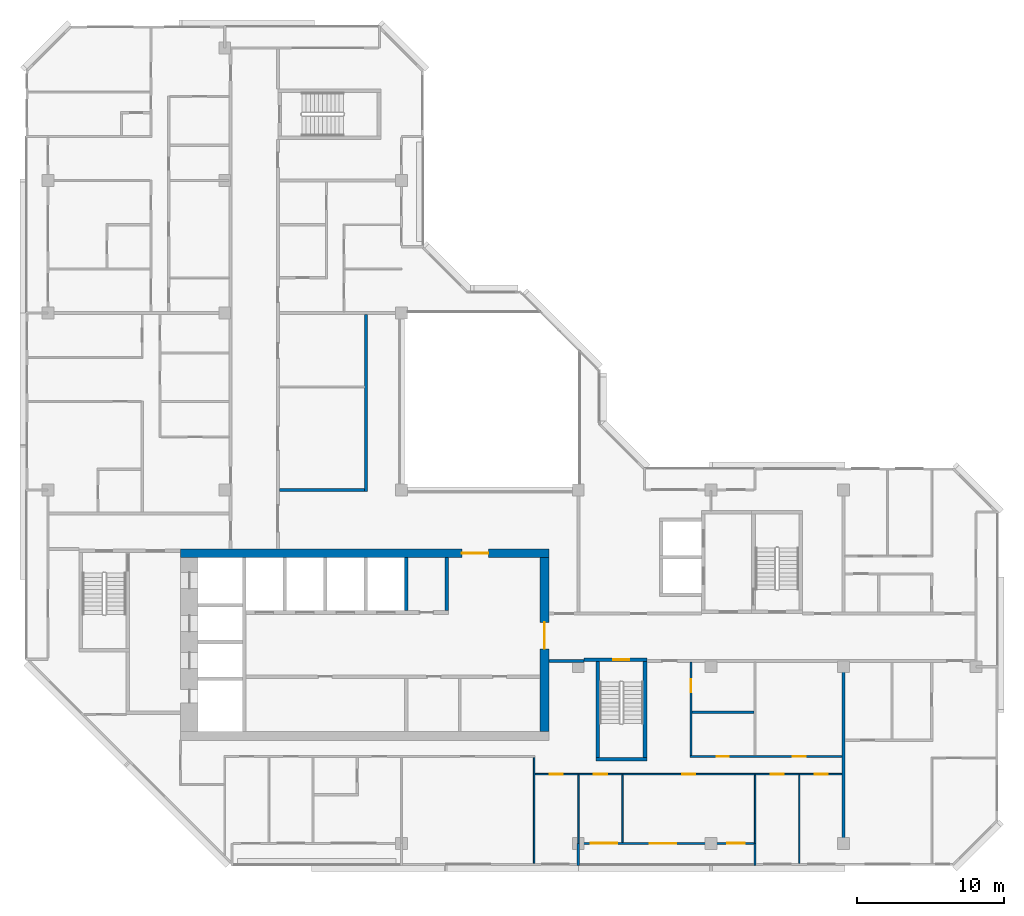
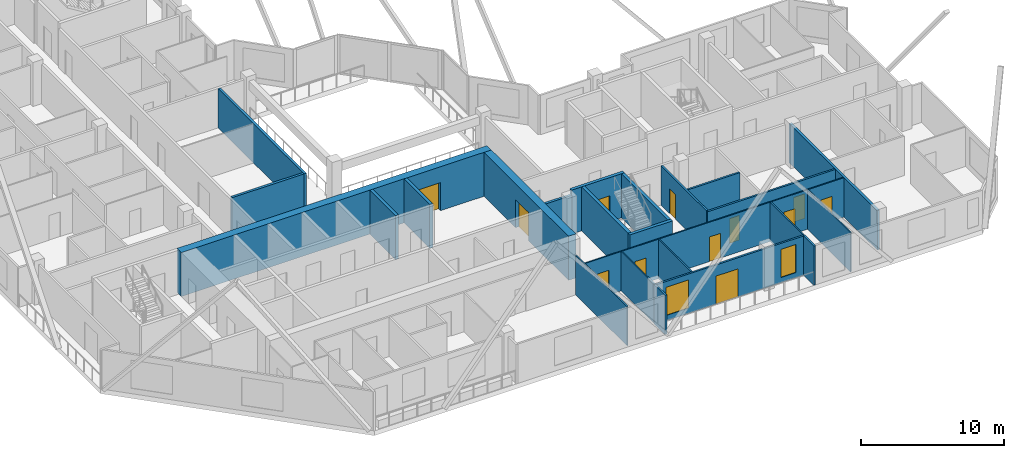
# One storey, part 6 of 13: 24 walls, 12 doors, 2 windows, 14 openings.
"""IFC4 building model written with IfcOpenShell, lengths in metres."""

from ifc_helpers import new_model, si_unit, direction, frame, frame_2d, origin, place, context, subcontext, project, spatial, rectangle, extrude, material, layer, layer_set, type_object, element, fill, save


model = new_model("IFC4")

# Units and contexts
model_context = context("Model", 3, precision=1e-05, world=origin(), true_north=direction((0.0, 1.0)))
body_context = subcontext(model_context, "Body", "Model", "MODEL_VIEW")
ifc_project = project(units=[si_unit("LENGTHUNIT", "METRE"), si_unit("AREAUNIT", "SQUARE_METRE"), si_unit("VOLUMEUNIT", "CUBIC_METRE"), si_unit("PLANEANGLEUNIT", "RADIAN"), si_unit("MASSUNIT", "GRAM", prefix="KILO")], contexts=[model_context])

# Site, building, storey
site_placement = place(None, origin())
site = spatial("IfcSite", under=ifc_project, at=site_placement, CompositionType="ELEMENT")
building_placement = place(site_placement, origin())
building = spatial("IfcBuilding", under=site, at=building_placement, Name="Chenar Terraces", CompositionType="ELEMENT")
storey_placement = place(building_placement, frame((0.0, 0.0, 310.89990234375)))
storey = spatial("IfcBuildingStorey", under=building, at=storey_placement, Name="L73", CompositionType="ELEMENT", Elevation=310.89990234375)

# Walls
ifc_material_1 = material(Name="Concrete C50/60", Category="concrete")
ifc_layer_1 = layer(ifc_material_1, 0.25)
ifc_layer_set_1 = layer_set([ifc_layer_1], Name="Concrete C50/60")
wall_type_1 = type_object("IfcWallType", Name="Core wall 250 Concrete C50/60", PredefinedType="SHEAR", material=ifc_layer_set_1)
for number, where, z_axis, x_axis, name in (
    (1, (24.324951171875, 15.800048828125, 0.0), (0.0, 0.0, 1.0), (0.0, 1.0, 0.0), "Core wall NS3 L73"),
    (2, (27.074951171875, 15.800048828125, 0.0), (0.0, 0.0, 1.0), (0.0, 1.0, 0.0), "Core wall NE L73"),
):
    element("IfcWall", number, at=place(storey_placement, frame(where, z_axis=z_axis, x_axis=x_axis)), inside=storey, type_object=wall_type_1, Name=name, PredefinedType="SHEAR", context=body_context, shape_type="SweptSolid", body=[
        extrude(rectangle(XDim=3.599853515625, YDim=0.25, at=frame_2d((1.7998046875, 0.0))), origin(), (0.0, 0.0, 1.0), 3.75),
    ])
wall_1_placement = place(storey_placement, frame((37.199951171875, 5.72509765625, 0.0), z_axis=(0.0, 0.0, 1.0), x_axis=(1.0, 0.0, 0.0)))
element("IfcWall", 3, at=wall_1_placement, inside=storey, type_object=wall_type_1, Name="Core wall ST2_S L73", PredefinedType="SHEAR", context=body_context, shape_type="SweptSolid", body=[
    extrude(rectangle(XDim=3.449951171875, YDim=0.25, at=frame_2d((1.72509765625, 0.0))), origin(), (0.0, 0.0, 1.0), 3.75),
])

# Wall, opening, door
wall_2_placement = place(storey_placement, frame((36.39990234375, 12.47509765625, 0.0), z_axis=(0.0, 0.0, 1.0), x_axis=(1.0, 0.0, 0.0)))
wall_2 = element("IfcWall", 4, at=wall_2_placement, inside=storey, type_object=wall_type_1, Name="Core wall ST2_N L73", PredefinedType="SHEAR", context=body_context, shape_type="SweptSolid", body=[
    extrude(rectangle(XDim=4.25, YDim=0.25, at=frame_2d((2.125, 0.0))), origin(), (0.0, 0.0, 1.0), 3.75),
])
opening_1_placement = place(wall_2_placement, frame((1.97509765625, 0.0, 0.0)))
opening_1 = element("IfcOpeningElement", 5, at=opening_1_placement, cuts=wall_2, Name="Opening DL73-C7", PredefinedType="OPENING", context=body_context, shape_type="SweptSolid", body=[
    extrude(rectangle(XDim=1.10009765625, YDim=2.199951171875, at=frame_2d((0.550048828125, 1.10009765625))), frame((0.0, 0.135009765625, 0.0), z_axis=(0.0, -1.0, 0.0), x_axis=(1.0, 0.0, 0.0)), (0.0, 0.0, 1.0), 0.27001953125),
])
ifc_material_2 = material(Name="Steel-framed fire-resisting door leaf", Category="steel")
door_type_1 = type_object("IfcDoorType", Name="Stair fire door FD60 1100 x 2200", OperationType="SINGLE_SWING_LEFT", PredefinedType="DOOR", material=ifc_material_2)
door_1_placement = place(opening_1_placement, frame((1.10009765625, 0.0, 0.0), z_axis=(0.0, 0.0, 1.0), x_axis=(-1.0, 0.0, 0.0)))
door_1 = element("IfcDoor", 6, at=door_1_placement, inside=storey, type_object=door_type_1, Name="Stair door DL73-C7", OperationType="SINGLE_SWING_LEFT", OverallHeight=2.199951171875, OverallWidth=1.10009765625, PredefinedType="DOOR", context=body_context, shape_type="SweptSolid", body=[
    extrude(rectangle(XDim=1.10009765625, YDim=2.199951171875, at=frame_2d((0.550048828125, 1.10009765625))), frame((0.0, 0.02490234375, 0.0), z_axis=(0.0, -1.0, 0.0), x_axis=(1.0, 0.0, 0.0)), (0.0, 0.0, 1.0), 0.050048828125),
])
fill(opening_1, door_1)

# Walls
for number, where, z_axis, x_axis, name in (
    (7, (37.324951171875, 5.85009765625, 0.0), (0.0, 0.0, 1.0), (0.0, 1.0, 0.0), "Core wall ST2_W L73"),
    (8, (40.52490234375, 5.85009765625, 0.0), (0.0, 0.0, 1.0), (0.0, 1.0, 0.0), "Core wall ST2_E L73"),
):
    element("IfcWall", number, at=place(storey_placement, frame(where, z_axis=z_axis, x_axis=x_axis)), inside=storey, type_object=wall_type_1, Name=name, PredefinedType="SHEAR", context=body_context, shape_type="SweptSolid", body=[
        extrude(rectangle(XDim=6.5, YDim=0.25, at=frame_2d((3.25, 0.0))), origin(), (0.0, 0.0, 1.0), 3.75),
    ])

# Wall, opening, door
ifc_material_3 = material(Name="Concrete C50/60", Category="concrete")
ifc_layer_2 = layer(ifc_material_3, 0.60009765625)
ifc_layer_set_2 = layer_set([ifc_layer_2], Name="Concrete C50/60")
wall_type_2 = type_object("IfcWallType", Name="Core wall 600 Concrete C50/60", PredefinedType="SHEAR", material=ifc_layer_set_2)
wall_3_placement = place(storey_placement, frame((9.0, 19.699951171875, 0.0), z_axis=(0.0, 0.0, 1.0), x_axis=(1.0, 0.0, 0.0)))
wall_3 = element("IfcWall", 9, at=wall_3_placement, inside=storey, type_object=wall_type_2, Name="Core wall N L73", PredefinedType="SHEAR", context=body_context, shape_type="SweptSolid", body=[
    extrude(rectangle(XDim=25.0, YDim=0.60009765625, at=frame_2d((12.5, 0.0))), origin(), (0.0, 0.0, 1.0), 3.75),
])
opening_2_placement = place(wall_3_placement, frame((19.10009765625, 0.0, 0.0)))
opening_2 = element("IfcOpeningElement", 10, at=opening_2_placement, cuts=wall_3, Name="Opening DL73-C2", PredefinedType="OPENING", context=body_context, shape_type="SweptSolid", body=[
    extrude(rectangle(XDim=1.800048828125, YDim=2.39990234375, at=frame_2d((0.89990234375, 1.199951171875))), frame((0.0, 0.31005859375, 0.0), z_axis=(0.0, -1.0, 0.0), x_axis=(1.0, 0.0, 0.0)), (0.0, 0.0, 1.0), 0.6201171875),
])
ifc_material_4 = material(Name="Steel-framed fire-resisting door leaf", Category="steel")
door_type_2 = type_object("IfcDoorType", Name="Core entrance double fire door FD60 1800 x 2400", OperationType="DOUBLE_DOOR_SINGLE_SWING", PredefinedType="DOOR", material=ifc_material_4)
door_2_placement = place(opening_2_placement, frame((1.800048828125, 0.0, 0.0), z_axis=(0.0, 0.0, 1.0), x_axis=(-1.0, 0.0, 0.0)))
door_2 = element("IfcDoor", 11, at=door_2_placement, inside=storey, type_object=door_type_2, Name="Core door DL73-C2", OperationType="DOUBLE_DOOR_SINGLE_SWING", OverallHeight=2.39990234375, OverallWidth=1.800048828125, PredefinedType="DOOR", context=body_context, shape_type="SweptSolid", body=[
    extrude(rectangle(XDim=1.800048828125, YDim=2.39990234375, at=frame_2d((0.89990234375, 1.199951171875))), frame((0.0, 0.02490234375, 0.0), z_axis=(0.0, -1.0, 0.0), x_axis=(1.0, 0.0, 0.0)), (0.0, 0.0, 1.0), 0.050048828125),
])
fill(opening_2, door_2)

wall_4_placement = place(storey_placement, frame((33.699951171875, 7.60009765625, 0.0), z_axis=(0.0, 0.0, 1.0), x_axis=(0.0, 1.0, 0.0)))
wall_4 = element("IfcWall", 12, at=wall_4_placement, inside=storey, type_object=wall_type_2, Name="Core wall E L73", PredefinedType="SHEAR", context=body_context, shape_type="SweptSolid", body=[
    extrude(rectangle(XDim=11.7998046875, YDim=0.60009765625, at=frame_2d((5.89990234375, 0.0))), origin(), (0.0, 0.0, 1.0), 3.75),
])
opening_3_placement = place(wall_4_placement, frame((5.60009765625, 0.0, 0.0)))
opening_3 = element("IfcOpeningElement", 13, at=opening_3_placement, cuts=wall_4, Name="Opening DL73-C1", PredefinedType="OPENING", context=body_context, shape_type="SweptSolid", body=[
    extrude(rectangle(XDim=1.800048828125, YDim=2.39990234375, at=frame_2d((0.89990234375, 1.199951171875))), frame((0.0, 0.31005859375, 0.0), z_axis=(0.0, -1.0, 0.0), x_axis=(1.0, 0.0, 0.0)), (0.0, 0.0, 1.0), 0.6201171875),
])
door_3_placement = place(opening_3_placement, origin())
door_3 = element("IfcDoor", 14, at=door_3_placement, inside=storey, type_object=door_type_2, Name="Core door DL73-C1", OperationType="DOUBLE_DOOR_SINGLE_SWING", OverallHeight=2.39990234375, OverallWidth=1.800048828125, PredefinedType="DOOR", context=body_context, shape_type="SweptSolid", body=[
    extrude(rectangle(XDim=1.800048828125, YDim=2.39990234375, at=frame_2d((0.89990234375, 1.199951171875))), frame((0.0, 0.02490234375, 0.0), z_axis=(0.0, -1.0, 0.0), x_axis=(1.0, 0.0, 0.0)), (0.0, 0.0, 1.0), 0.050048828125),
])
fill(opening_3, door_3)

# Walls
ifc_material_5 = material(Name="Gypsum board on steel studs with fire boards", Category="steel")
ifc_layer_3 = layer(ifc_material_5, 0.199951171875)
ifc_layer_set_3 = layer_set([ifc_layer_3], Name="Gypsum board on steel studs with fire boards")
wall_type_3 = type_object("IfcWallType", Name="Corridor wall 200", PredefinedType="PARTITIONING", material=ifc_layer_set_3)
wall_5_placement = place(storey_placement, frame((15.699951171875, 24.0, 0.0), z_axis=(0.0, 0.0, 1.0), x_axis=(1.0, 0.0, 0.0)))
element("IfcWall", 15, at=wall_5_placement, inside=storey, type_object=wall_type_3, Name="Partition L73-038", PredefinedType="PARTITIONING", context=body_context, shape_type="SweptSolid", body=[
    extrude(rectangle(XDim=5.800048828125, YDim=0.199951171875, at=frame_2d((2.89990234375, 0.0))), origin(), (0.0, 0.0, 1.0), 3.35009765625),
])
wall_6_placement = place(storey_placement, frame((21.60009765625, 23.89990234375, 0.0), z_axis=(0.0, 0.0, 1.0), x_axis=(0.0, 1.0, 0.0)))
element("IfcWall", 16, at=wall_6_placement, inside=storey, type_object=wall_type_3, Name="Partition L73-051", PredefinedType="PARTITIONING", context=body_context, shape_type="SweptSolid", body=[
    extrude(rectangle(XDim=12.0, YDim=0.199951171875, at=frame_2d((6.0, 0.0))), origin(), (0.0, 0.0, 1.0), 3.35009765625),
])
wall_7_placement = place(storey_placement, frame((34.0, 12.39990234375, 0.0), z_axis=(0.0, 0.0, 1.0), x_axis=(1.0, 0.0, 0.0)))
element("IfcWall", 17, at=wall_7_placement, inside=storey, type_object=wall_type_3, Name="Partition L73-055", PredefinedType="PARTITIONING", context=body_context, shape_type="SweptSolid", body=[
    extrude(rectangle(XDim=2.40087890625, YDim=0.199951171875, at=frame_2d((1.200439453125, 0.0))), origin(), (0.0, 0.0, 1.0), 3.35009765625),
])

# Wall, openings, windows, door
ifc_material_6 = material(Name="Aluminium framed glazing", Category="aluminium")
ifc_layer_4 = layer(ifc_material_6, 0.14990234375)
ifc_layer_set_4 = layer_set([ifc_layer_4], Name="Aluminium framed glazing")
wall_type_4 = type_object("IfcWallType", Name="Glazed loggia back wall 150", PredefinedType="SOLIDWALL", material=ifc_layer_set_4)
wall_8_placement = place(storey_placement, frame((36.074951171875, 0.0, 0.0), z_axis=(0.0, 0.0, 1.0), x_axis=(1.0, 0.0, 0.0)))
wall_8 = element("IfcWall", 18, at=wall_8_placement, inside=storey, type_object=wall_type_4, Name="Glazed loggia back wall", PredefinedType="SOLIDWALL", context=body_context, shape_type="SweptSolid", body=[
    extrude(rectangle(XDim=11.85009765625, YDim=0.14990234375, at=frame_2d((5.925048828125, 0.0))), origin(), (0.0, 0.0, 1.0), 3.35009765625),
])
opening_4_placement = place(wall_8_placement, frame((0.77490234375, 0.0, 0.449951171875)))
opening_4 = element("IfcOpeningElement", 19, at=opening_4_placement, cuts=wall_8, Name="Opening W180x240", PredefinedType="OPENING", context=body_context, shape_type="SweptSolid", body=[
    extrude(rectangle(XDim=1.800048828125, YDim=2.39990234375, at=frame_2d((0.89990234375, 1.199951171875))), frame((0.0, 0.0849609375, 0.0), z_axis=(0.0, -1.0, 0.0), x_axis=(1.0, 0.0, 0.0)), (0.0, 0.0, 1.0), 0.169921875),
])
opening_5_placement = place(wall_8_placement, frame((4.77490234375, 0.0, 0.0)))
opening_5 = element("IfcOpeningElement", 20, at=opening_5_placement, cuts=wall_8, Name="Opening DL73-G5", PredefinedType="OPENING", context=body_context, shape_type="SweptSolid", body=[
    extrude(rectangle(XDim=1.800048828125, YDim=2.39990234375, at=frame_2d((0.89990234375, 1.199951171875))), frame((0.0, 0.0849609375, 0.0), z_axis=(0.0, -1.0, 0.0), x_axis=(1.0, 0.0, 0.0)), (0.0, 0.0, 1.0), 0.169921875),
])
opening_6_placement = place(wall_8_placement, frame((10.03759765625, 0.0, 0.449951171875)))
opening_6 = element("IfcOpeningElement", 21, at=opening_6_placement, cuts=wall_8, Name="Opening W120x240", PredefinedType="OPENING", context=body_context, shape_type="SweptSolid", body=[
    extrude(rectangle(XDim=1.199951171875, YDim=2.39990234375, at=frame_2d((0.60009765625, 1.199951171875))), frame((0.0, 0.0849609375, 0.0), z_axis=(0.0, -1.0, 0.0), x_axis=(1.0, 0.0, 0.0)), (0.0, 0.0, 1.0), 0.169921875),
])
ifc_material_7 = material(Name="Low emissivity double glazing, aluminium frame", Category="aluminium")
window_type_1 = type_object("IfcWindowType", Name="Fixed light 1200 x 2400", PartitioningType="SINGLE_PANEL", PredefinedType="WINDOW", material=ifc_material_7)
window_1_placement = place(opening_6_placement, origin())
window_1 = element("IfcWindow", 22, at=window_1_placement, inside=storey, type_object=window_type_1, Name="Window", OverallHeight=2.39990234375, OverallWidth=1.199951171875, PartitioningType="SINGLE_PANEL", PredefinedType="WINDOW", context=body_context, shape_type="SweptSolid", body=[
    extrude(rectangle(XDim=1.199951171875, YDim=2.39990234375, at=frame_2d((0.60009765625, 1.199951171875))), frame((0.0, 0.030029296875, 0.0), z_axis=(0.0, -1.0, 0.0), x_axis=(1.0, 0.0, 0.0)), (0.0, 0.0, 1.0), 0.06005859375),
])
fill(opening_6, window_1)
ifc_material_8 = material(Name="Low emissivity double glazing, aluminium frame", Category="aluminium")
window_type_2 = type_object("IfcWindowType", Name="Fixed light 1800 x 2400", PartitioningType="SINGLE_PANEL", PredefinedType="WINDOW", material=ifc_material_8)
window_2_placement = place(opening_4_placement, origin())
window_2 = element("IfcWindow", 23, at=window_2_placement, inside=storey, type_object=window_type_2, Name="Window", OverallHeight=2.39990234375, OverallWidth=1.800048828125, PartitioningType="SINGLE_PANEL", PredefinedType="WINDOW", context=body_context, shape_type="SweptSolid", body=[
    extrude(rectangle(XDim=1.800048828125, YDim=2.39990234375, at=frame_2d((0.89990234375, 1.199951171875))), frame((0.0, 0.030029296875, 0.0), z_axis=(0.0, -1.0, 0.0), x_axis=(1.0, 0.0, 0.0)), (0.0, 0.0, 1.0), 0.06005859375),
])
fill(opening_4, window_2)
ifc_material_9 = material(Name="Low emissivity double glazing, aluminium frame", Category="aluminium")
door_type_3 = type_object("IfcDoorType", Name="Loggia glazed double door 1800 x 2400", OperationType="DOUBLE_DOOR_SINGLE_SWING", PredefinedType="DOOR", material=ifc_material_9)
door_4_placement = place(opening_5_placement, frame((1.800048828125, 0.0, 0.0), z_axis=(0.0, 0.0, 1.0), x_axis=(-1.0, 0.0, 0.0)))
door_4 = element("IfcDoor", 24, at=door_4_placement, inside=storey, type_object=door_type_3, Name="Loggia glazed door", OperationType="DOUBLE_DOOR_SINGLE_SWING", OverallHeight=2.39990234375, OverallWidth=1.800048828125, PredefinedType="DOOR", context=body_context, shape_type="SweptSolid", body=[
    extrude(rectangle(XDim=1.800048828125, YDim=2.39990234375, at=frame_2d((0.89990234375, 1.199951171875))), frame((0.0, 0.02490234375, 0.0), z_axis=(0.0, -1.0, 0.0), x_axis=(1.0, 0.0, 0.0)), (0.0, 0.0, 1.0), 0.050048828125),
])
fill(opening_5, door_4)

# Wall
ifc_material_10 = material(Name="Gypsum board on steel studs", Category="steel")
ifc_layer_5 = layer(ifc_material_10, 0.10009765625)
ifc_layer_set_5 = layer_set([ifc_layer_5], Name="Gypsum board on steel studs")
wall_type_5 = type_object("IfcWallType", Name="Gypsum partition 100", PredefinedType="PARTITIONING", material=ifc_layer_set_5)
wall_9_placement = place(storey_placement, frame((33.0, -1.35009765625, 0.0), z_axis=(0.0, 0.0, 1.0), x_axis=(0.0, 1.0, 0.0)))
element("IfcWall", 25, at=wall_9_placement, inside=storey, type_object=wall_type_5, Name="Partition L73-053", PredefinedType="PARTITIONING", context=body_context, shape_type="SweptSolid", body=[
    extrude(rectangle(XDim=7.175048828125, YDim=0.10009765625, at=frame_2d((3.58740234375, 0.0))), origin(), (0.0, 0.0, 1.0), 3.35009765625),
])

# Wall, openings, doors
wall_10_placement = place(storey_placement, frame((33.050048828125, 4.699951171875, 0.0), z_axis=(0.0, 0.0, 1.0), x_axis=(1.0, 0.0, 0.0)))
wall_10 = element("IfcWall", 26, at=wall_10_placement, inside=storey, type_object=wall_type_5, Name="Partition L73-054", PredefinedType="PARTITIONING", context=body_context, shape_type="SweptSolid", body=[
    extrude(rectangle(XDim=20.849853515625, YDim=0.10009765625, at=frame_2d((10.4248046875, 0.0))), origin(), (0.0, 0.0, 1.0), 3.35009765625),
])
opening_7_placement = place(wall_10_placement, frame((1.0, 0.0, 0.0)))
opening_7 = element("IfcOpeningElement", 27, at=opening_7_placement, cuts=wall_10, Name="Opening DL73-37", PredefinedType="OPENING", context=body_context, shape_type="SweptSolid", body=[
    extrude(rectangle(XDim=0.89990234375, YDim=2.10009765625, at=frame_2d((0.449951171875, 1.050048828125))), frame((0.0, 0.06005859375, 0.0), z_axis=(0.0, -1.0, 0.0), x_axis=(1.0, 0.0, 0.0)), (0.0, 0.0, 1.0), 0.1201171875),
])
opening_8_placement = place(wall_10_placement, frame((4.0, 0.0, 0.0)))
opening_8 = element("IfcOpeningElement", 28, at=opening_8_placement, cuts=wall_10, Name="Opening DL73-38", PredefinedType="OPENING", context=body_context, shape_type="SweptSolid", body=[
    extrude(rectangle(XDim=0.89990234375, YDim=2.10009765625, at=frame_2d((0.449951171875, 1.050048828125))), frame((0.0, 0.06005859375, 0.0), z_axis=(0.0, -1.0, 0.0), x_axis=(1.0, 0.0, 0.0)), (0.0, 0.0, 1.0), 0.1201171875),
])
opening_9_placement = place(wall_10_placement, frame((16.0, 0.0, 0.0)))
opening_9 = element("IfcOpeningElement", 29, at=opening_9_placement, cuts=wall_10, Name="Opening DL73-39", PredefinedType="OPENING", context=body_context, shape_type="SweptSolid", body=[
    extrude(rectangle(XDim=0.89990234375, YDim=2.10009765625, at=frame_2d((0.449951171875, 1.050048828125))), frame((0.0, 0.06005859375, 0.0), z_axis=(0.0, -1.0, 0.0), x_axis=(1.0, 0.0, 0.0)), (0.0, 0.0, 1.0), 0.1201171875),
])
opening_10_placement = place(wall_10_placement, frame((19.0, 0.0, 0.0)))
opening_10 = element("IfcOpeningElement", 30, at=opening_10_placement, cuts=wall_10, Name="Opening DL73-40", PredefinedType="OPENING", context=body_context, shape_type="SweptSolid", body=[
    extrude(rectangle(XDim=0.89990234375, YDim=2.10009765625, at=frame_2d((0.449951171875, 1.050048828125))), frame((0.0, 0.06005859375, 0.0), z_axis=(0.0, -1.0, 0.0), x_axis=(1.0, 0.0, 0.0)), (0.0, 0.0, 1.0), 0.1201171875),
])
opening_11_placement = place(wall_10_placement, frame((10.0, 0.0, 0.0)))
opening_11 = element("IfcOpeningElement", 31, at=opening_11_placement, cuts=wall_10, Name="Opening DL73-48", PredefinedType="OPENING", context=body_context, shape_type="SweptSolid", body=[
    extrude(rectangle(XDim=0.89990234375, YDim=2.10009765625, at=frame_2d((0.449951171875, 1.050048828125))), frame((0.0, 0.06005859375, 0.0), z_axis=(0.0, -1.0, 0.0), x_axis=(1.0, 0.0, 0.0)), (0.0, 0.0, 1.0), 0.1201171875),
])
ifc_material_11 = material(Name="Veneered timber door leaf", Category="wood")
door_type_4 = type_object("IfcDoorType", Name="Door 900 x 2100", OperationType="SINGLE_SWING_LEFT", PredefinedType="DOOR", material=ifc_material_11)
door_5_placement = place(opening_7_placement, frame((0.89990234375, 0.0, 0.0), z_axis=(0.0, 0.0, 1.0), x_axis=(-1.0, 0.0, 0.0)))
door_5 = element("IfcDoor", 32, at=door_5_placement, inside=storey, type_object=door_type_4, Name="Door DL73-37", OperationType="SINGLE_SWING_LEFT", OverallHeight=2.10009765625, OverallWidth=0.89990234375, PredefinedType="DOOR", context=body_context, shape_type="SweptSolid", body=[
    extrude(rectangle(XDim=0.89990234375, YDim=2.10009765625, at=frame_2d((0.449951171875, 1.050048828125))), frame((0.0, 0.02490234375, 0.0), z_axis=(0.0, -1.0, 0.0), x_axis=(1.0, 0.0, 0.0)), (0.0, 0.0, 1.0), 0.050048828125),
])
fill(opening_7, door_5)
door_6_placement = place(opening_8_placement, frame((0.89990234375, 0.0, 0.0), z_axis=(0.0, 0.0, 1.0), x_axis=(-1.0, 0.0, 0.0)))
door_6 = element("IfcDoor", 33, at=door_6_placement, inside=storey, type_object=door_type_4, Name="Door DL73-38", OperationType="SINGLE_SWING_LEFT", OverallHeight=2.10009765625, OverallWidth=0.89990234375, PredefinedType="DOOR", context=body_context, shape_type="SweptSolid", body=[
    extrude(rectangle(XDim=0.89990234375, YDim=2.10009765625, at=frame_2d((0.449951171875, 1.050048828125))), frame((0.0, 0.02490234375, 0.0), z_axis=(0.0, -1.0, 0.0), x_axis=(1.0, 0.0, 0.0)), (0.0, 0.0, 1.0), 0.050048828125),
])
fill(opening_8, door_6)
door_7_placement = place(opening_9_placement, frame((0.89990234375, 0.0, 0.0), z_axis=(0.0, 0.0, 1.0), x_axis=(-1.0, 0.0, 0.0)))
door_7 = element("IfcDoor", 34, at=door_7_placement, inside=storey, type_object=door_type_4, Name="Door DL73-39", OperationType="SINGLE_SWING_LEFT", OverallHeight=2.10009765625, OverallWidth=0.89990234375, PredefinedType="DOOR", context=body_context, shape_type="SweptSolid", body=[
    extrude(rectangle(XDim=0.89990234375, YDim=2.10009765625, at=frame_2d((0.449951171875, 1.050048828125))), frame((0.0, 0.02490234375, 0.0), z_axis=(0.0, -1.0, 0.0), x_axis=(1.0, 0.0, 0.0)), (0.0, 0.0, 1.0), 0.050048828125),
])
fill(opening_9, door_7)
door_8_placement = place(opening_10_placement, frame((0.89990234375, 0.0, 0.0), z_axis=(0.0, 0.0, 1.0), x_axis=(-1.0, 0.0, 0.0)))
door_8 = element("IfcDoor", 35, at=door_8_placement, inside=storey, type_object=door_type_4, Name="Door DL73-40", OperationType="SINGLE_SWING_LEFT", OverallHeight=2.10009765625, OverallWidth=0.89990234375, PredefinedType="DOOR", context=body_context, shape_type="SweptSolid", body=[
    extrude(rectangle(XDim=0.89990234375, YDim=2.10009765625, at=frame_2d((0.449951171875, 1.050048828125))), frame((0.0, 0.02490234375, 0.0), z_axis=(0.0, -1.0, 0.0), x_axis=(1.0, 0.0, 0.0)), (0.0, 0.0, 1.0), 0.050048828125),
])
fill(opening_10, door_8)
door_9_placement = place(opening_11_placement, frame((0.89990234375, 0.0, 0.0), z_axis=(0.0, 0.0, 1.0), x_axis=(-1.0, 0.0, 0.0)))
door_9 = element("IfcDoor", 36, at=door_9_placement, inside=storey, type_object=door_type_4, Name="Door DL73-48", OperationType="SINGLE_SWING_LEFT", OverallHeight=2.10009765625, OverallWidth=0.89990234375, PredefinedType="DOOR", context=body_context, shape_type="SweptSolid", body=[
    extrude(rectangle(XDim=0.89990234375, YDim=2.10009765625, at=frame_2d((0.449951171875, 1.050048828125))), frame((0.0, 0.02490234375, 0.0), z_axis=(0.0, -1.0, 0.0), x_axis=(1.0, 0.0, 0.0)), (0.0, 0.0, 1.0), 0.050048828125),
])
fill(opening_11, door_9)

# Walls
wall_11_placement = place(storey_placement, frame((36.0, 0.0, 0.0), z_axis=(0.0, 0.0, 1.0), x_axis=(0.0, 1.0, 0.0)))
element("IfcWall", 37, at=wall_11_placement, inside=storey, type_object=wall_type_5, Name="Partition L73-057", PredefinedType="PARTITIONING", context=body_context, shape_type="SweptSolid", body=[
    extrude(rectangle(XDim=4.64990234375, YDim=0.10009765625, at=frame_2d((2.324951171875, 0.0))), origin(), (0.0, 0.0, 1.0), 3.35009765625),
])
wall_12_placement = place(storey_placement, frame((39.0, 0.073974609375, 0.0), z_axis=(0.0, 0.0, 1.0), x_axis=(0.0, 1.0, 0.0)))
element("IfcWall", 38, at=wall_12_placement, inside=storey, type_object=wall_type_5, Name="Partition L73-059", PredefinedType="PARTITIONING", context=body_context, shape_type="SweptSolid", body=[
    extrude(rectangle(XDim=4.575927734375, YDim=0.10009765625, at=frame_2d((2.2880859375, 0.0))), origin(), (0.0, 0.0, 1.0), 3.35009765625),
])
wall_13_placement = place(storey_placement, frame((48.0, 0.0, 0.0), z_axis=(0.0, 0.0, 1.0), x_axis=(0.0, 1.0, 0.0)))
element("IfcWall", 39, at=wall_13_placement, inside=storey, type_object=wall_type_5, Name="Partition L73-065", PredefinedType="PARTITIONING", context=body_context, shape_type="SweptSolid", body=[
    extrude(rectangle(XDim=4.64990234375, YDim=0.10009765625, at=frame_2d((2.324951171875, 0.0))), origin(), (0.0, 0.0, 1.0), 3.35009765625),
])
wall_14_placement = place(storey_placement, frame((51.0, -1.35107421875, 0.0), z_axis=(0.0, 0.0, 1.0), x_axis=(0.0, 1.0, 0.0)))
element("IfcWall", 40, at=wall_14_placement, inside=storey, type_object=wall_type_5, Name="Partition L73-067", PredefinedType="PARTITIONING", context=body_context, shape_type="SweptSolid", body=[
    extrude(rectangle(XDim=6.0009765625, YDim=0.10009765625, at=frame_2d((3.00048828125, 0.0))), origin(), (0.0, 0.0, 1.0), 3.35009765625),
])
ifc_material_12 = material(Name="Terracotta cladding on insulated backing", Category="masonry")
ifc_layer_6 = layer(ifc_material_12, 0.14990234375)
ifc_layer_set_6 = layer_set([ifc_layer_6], Name="Terracotta cladding on insulated backing")
wall_type_6 = type_object("IfcWallType", Name="Loggia return wall 150", PredefinedType="SOLIDWALL", material=ifc_layer_set_6)
for number, where, z_axis, x_axis, name in (
    (41, (36.0, -1.5, 0.0), (0.0, 0.0, 1.0), (0.0, 1.0, 0.0), "Loggia return wall"),
    (42, (48.0, -1.5, 0.0), (0.0, 0.0, 1.0), (0.0, 1.0, 0.0), "Loggia return wall"),
):
    element("IfcWall", number, at=place(storey_placement, frame(where, z_axis=z_axis, x_axis=x_axis)), inside=storey, type_object=wall_type_6, Name=name, PredefinedType="SOLIDWALL", context=body_context, shape_type="SweptSolid", body=[
        extrude(rectangle(XDim=1.5, YDim=0.14990234375, at=frame_2d((0.75, 0.0))), origin(), (0.0, 0.0, 1.0), 3.35009765625),
    ])
ifc_material_13 = material(Name="Twin gypsum board on steel studs with mineral wool", Category="steel")
ifc_layer_7 = layer(ifc_material_13, 0.199951171875)
ifc_layer_set_7 = layer_set([ifc_layer_7], Name="Twin gypsum board on steel studs with mineral wool")
wall_type_7 = type_object("IfcWallType", Name="Unit demising wall 200", PredefinedType="PARTITIONING", material=ifc_layer_set_7)
wall_15_placement = place(storey_placement, frame((54.0, 0.0, 0.0), z_axis=(0.0, 0.0, 1.0), x_axis=(0.0, 1.0, 0.0)))
element("IfcWall", 43, at=wall_15_placement, inside=storey, type_object=wall_type_7, Name="Partition L73-069", PredefinedType="PARTITIONING", context=body_context, shape_type="SweptSolid", body=[
    extrude(rectangle(XDim=12.300048828125, YDim=0.199951171875, at=frame_2d((6.14990234375, 0.0))), origin(), (0.0, 0.0, 1.0), 3.35009765625),
])

# Wall, openings, doors
ifc_material_14 = material(Name="Moisture-resistant gypsum board on steel studs", Category="steel")
ifc_layer_8 = layer(ifc_material_14, 0.14990234375)
ifc_layer_set_8 = layer_set([ifc_layer_8], Name="Moisture-resistant gypsum board on steel studs")
wall_type_8 = type_object("IfcWallType", Name="Wet-room partition 150", PredefinedType="PARTITIONING", material=ifc_layer_set_8)
wall_16_placement = place(storey_placement, frame((43.574951171875, 5.89990234375, 0.0), z_axis=(0.0, 0.0, 1.0), x_axis=(1.0, 0.0, 0.0)))
wall_16 = element("IfcWall", 44, at=wall_16_placement, inside=storey, type_object=wall_type_8, Name="Partition L73-061", PredefinedType="PARTITIONING", context=body_context, shape_type="SweptSolid", body=[
    extrude(rectangle(XDim=10.324951171875, YDim=0.14990234375, at=frame_2d((5.16259765625, 0.0))), origin(), (0.0, 0.0, 1.0), 3.35009765625),
])
opening_12_placement = place(wall_16_placement, frame((1.824951171875, 0.0, 0.0)))
opening_12 = element("IfcOpeningElement", 45, at=opening_12_placement, cuts=wall_16, Name="Opening DL73-34", PredefinedType="OPENING", context=body_context, shape_type="SweptSolid", body=[
    extrude(rectangle(XDim=0.800048828125, YDim=2.10009765625, at=frame_2d((0.39990234375, 1.050048828125))), frame((0.0, 0.0849609375, 0.0), z_axis=(0.0, -1.0, 0.0), x_axis=(1.0, 0.0, 0.0)), (0.0, 0.0, 1.0), 0.169921875),
])
opening_13_placement = place(wall_16_placement, frame((6.97509765625, 0.0, 0.0)))
opening_13 = element("IfcOpeningElement", 46, at=opening_13_placement, cuts=wall_16, Name="Opening DL73-49", PredefinedType="OPENING", context=body_context, shape_type="SweptSolid", body=[
    extrude(rectangle(XDim=0.89990234375, YDim=2.10009765625, at=frame_2d((0.449951171875, 1.050048828125))), frame((0.0, 0.0849609375, 0.0), z_axis=(0.0, -1.0, 0.0), x_axis=(1.0, 0.0, 0.0)), (0.0, 0.0, 1.0), 0.169921875),
])
ifc_material_15 = material(Name="Veneered timber door leaf", Category="wood")
door_type_5 = type_object("IfcDoorType", Name="Door 800 x 2100", OperationType="SINGLE_SWING_LEFT", PredefinedType="DOOR", material=ifc_material_15)
door_10_placement = place(opening_12_placement, origin())
door_10 = element("IfcDoor", 47, at=door_10_placement, inside=storey, type_object=door_type_5, Name="Door DL73-34", OperationType="SINGLE_SWING_RIGHT", OverallHeight=2.10009765625, OverallWidth=0.800048828125, PredefinedType="DOOR", context=body_context, shape_type="SweptSolid", body=[
    extrude(rectangle(XDim=0.800048828125, YDim=2.10009765625, at=frame_2d((0.39990234375, 1.050048828125))), frame((0.0, 0.02490234375, 0.0), z_axis=(0.0, -1.0, 0.0), x_axis=(1.0, 0.0, 0.0)), (0.0, 0.0, 1.0), 0.050048828125),
])
fill(opening_12, door_10)
door_11_placement = place(opening_13_placement, origin())
door_11 = element("IfcDoor", 48, at=door_11_placement, inside=storey, type_object=door_type_4, Name="Door DL73-49", OperationType="SINGLE_SWING_RIGHT", OverallHeight=2.10009765625, OverallWidth=0.89990234375, PredefinedType="DOOR", context=body_context, shape_type="SweptSolid", body=[
    extrude(rectangle(XDim=0.89990234375, YDim=2.10009765625, at=frame_2d((0.449951171875, 1.050048828125))), frame((0.0, 0.02490234375, 0.0), z_axis=(0.0, -1.0, 0.0), x_axis=(1.0, 0.0, 0.0)), (0.0, 0.0, 1.0), 0.050048828125),
])
fill(opening_13, door_11)

# Wall, opening, door
wall_17_placement = place(storey_placement, frame((43.64990234375, 5.97509765625, 0.0), z_axis=(0.0, 0.0, 1.0), x_axis=(0.0, 1.0, 0.0)))
wall_17 = element("IfcWall", 49, at=wall_17_placement, inside=storey, type_object=wall_type_8, Name="Partition L73-062", PredefinedType="PARTITIONING", context=body_context, shape_type="SweptSolid", body=[
    extrude(rectangle(XDim=6.324951171875, YDim=0.14990234375, at=frame_2d((3.16259765625, 0.0))), origin(), (0.0, 0.0, 1.0), 3.35009765625),
])
opening_14_placement = place(wall_17_placement, frame((4.27490234375, 0.0, 0.0)))
opening_14 = element("IfcOpeningElement", 50, at=opening_14_placement, cuts=wall_17, Name="Opening DL73-46", PredefinedType="OPENING", context=body_context, shape_type="SweptSolid", body=[
    extrude(rectangle(XDim=0.89990234375, YDim=2.10009765625, at=frame_2d((0.449951171875, 1.050048828125))), frame((0.0, 0.0849609375, 0.0), z_axis=(0.0, -1.0, 0.0), x_axis=(1.0, 0.0, 0.0)), (0.0, 0.0, 1.0), 0.169921875),
])
door_12_placement = place(opening_14_placement, frame((0.89990234375, 0.0, 0.0), z_axis=(0.0, 0.0, 1.0), x_axis=(-1.0, 0.0, 0.0)))
door_12 = element("IfcDoor", 51, at=door_12_placement, inside=storey, type_object=door_type_4, Name="Door DL73-46", OperationType="SINGLE_SWING_LEFT", OverallHeight=2.10009765625, OverallWidth=0.89990234375, PredefinedType="DOOR", context=body_context, shape_type="SweptSolid", body=[
    extrude(rectangle(XDim=0.89990234375, YDim=2.10009765625, at=frame_2d((0.449951171875, 1.050048828125))), frame((0.0, 0.02490234375, 0.0), z_axis=(0.0, -1.0, 0.0), x_axis=(1.0, 0.0, 0.0)), (0.0, 0.0, 1.0), 0.050048828125),
])
fill(opening_14, door_12)

# Wall
wall_18_placement = place(storey_placement, frame((43.72509765625, 8.89990234375, 0.0), z_axis=(0.0, 0.0, 1.0), x_axis=(1.0, 0.0, 0.0)))
element("IfcWall", 52, at=wall_18_placement, inside=storey, type_object=wall_type_8, Name="Partition L73-063", PredefinedType="PARTITIONING", context=body_context, shape_type="SweptSolid", body=[
    extrude(rectangle(XDim=4.199951171875, YDim=0.14990234375, at=frame_2d((2.10009765625, 0.0))), origin(), (0.0, 0.0, 1.0), 3.35009765625),
])

save(model, "model.ifc")
